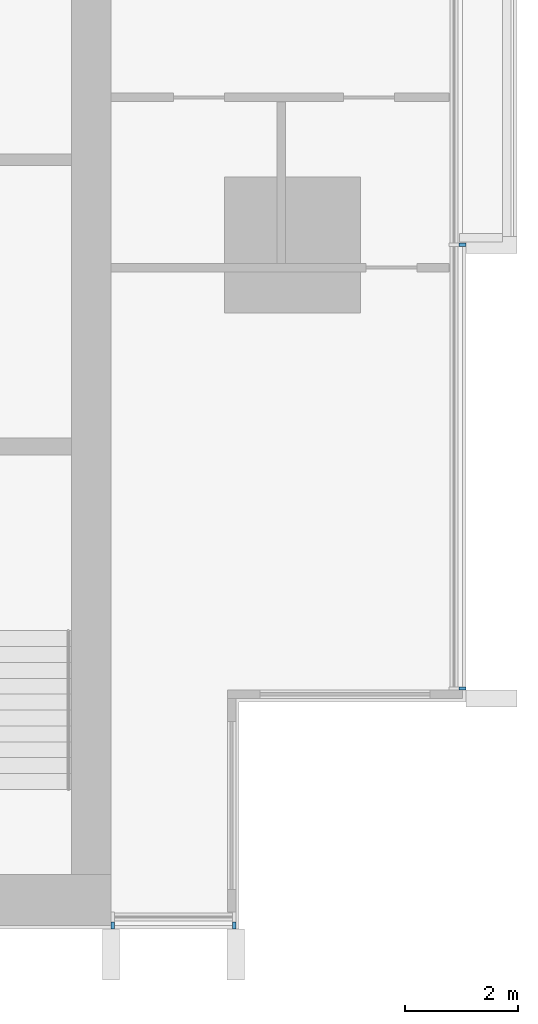
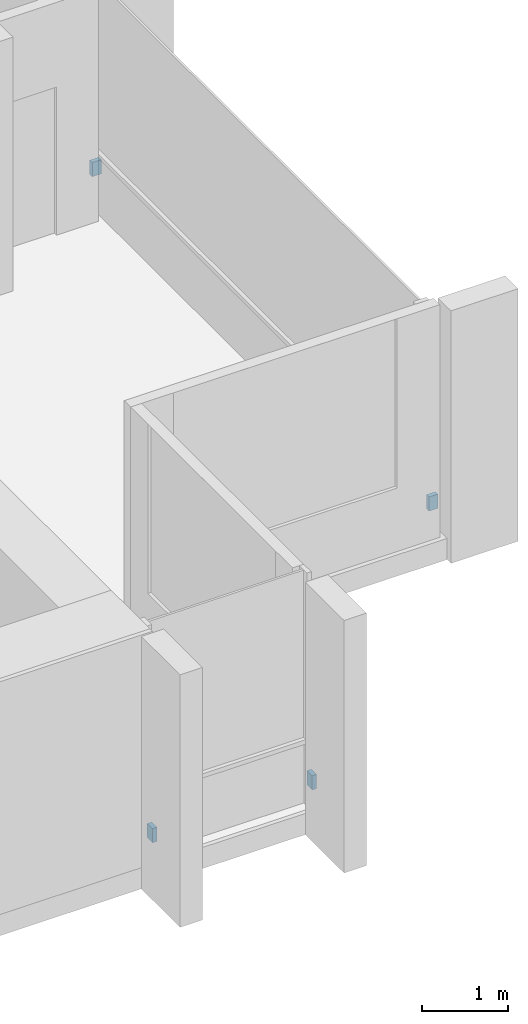
# One storey, part 14 of 17: 4 discrete accessories.
"""IFC4 building model written with IfcOpenShell, lengths in metres."""

from ifc_helpers import new_model, si_unit, direction, frame, origin, origin_2d, place, context, subcontext, project, spatial, rectangle, extrude, material, type_object, element, save


model = new_model("IFC4")

# Units and contexts
model_context = context("Model", 3, precision=1e-05, world=origin(), true_north=direction((0.0, 1.0)))
body_context = subcontext(model_context, "Body", "Model", "MODEL_VIEW")
ifc_project = project(units=[si_unit("LENGTHUNIT", "METRE"), si_unit("AREAUNIT", "SQUARE_METRE"), si_unit("VOLUMEUNIT", "CUBIC_METRE"), si_unit("PLANEANGLEUNIT", "RADIAN"), si_unit("MASSUNIT", "GRAM", prefix="KILO")], contexts=[model_context])

# Site, building, storey
site_placement = place(None, origin())
site = spatial("IfcSite", under=ifc_project, at=site_placement, CompositionType="ELEMENT")
building_placement = place(site_placement, origin())
building = spatial("IfcBuilding", under=site, at=building_placement, Name="Finial Court Residences", CompositionType="ELEMENT")
storey_placement = place(building_placement, frame((0.0, 0.0, 170.89990234375)))
storey = spatial("IfcBuildingStorey", under=building, at=storey_placement, Name="L42", CompositionType="ELEMENT", Elevation=170.89990234375)

# Discrete accessories
ifc_material = material(Name="Stainless steel 316", Category="steel")
discrete_accessory_type = type_object("IfcDiscreteAccessoryType", Name="Fin bracket, stainless steel 60 x 122 x 200", PredefinedType="BRACKET", material=ifc_material)
for number, where, z_axis, x_axis, name in (
    (1, (19.498779296875, -21.320068359375, 0.30029296875), (0.0, 0.0, 1.0), (1.0, 0.0, 0.0), "E-L42-FIN-E7-BRK"),
    (2, (19.498779296875, -13.5, 0.30029296875), (0.0, 0.0, 1.0), (1.0, 0.0, 0.0), "E-L42-FIN-E8-BRK"),
):
    element("IfcDiscreteAccessory", number, at=place(storey_placement, frame(where, z_axis=z_axis, x_axis=x_axis)), inside=storey, type_object=discrete_accessory_type, Name=name, PredefinedType="BRACKET", context=body_context, shape_type="SweptSolid", body=[
        extrude(rectangle(XDim=0.12255859375, YDim=0.06005859375, at=origin_2d()), origin(), (0.0, 0.0, 1.0), 0.199951171875),
    ])
for number, where, z_axis, x_axis, name in (
    (3, (13.330078125, -25.498779296875, 0.30029296875), (0.0, 0.0, 1.0), (1.0, 0.0, 0.0), "E-L42-FIN-S20-BRK"),
    (4, (15.469970703125, -25.498779296875, 0.30029296875), (0.0, 0.0, 1.0), (1.0, 0.0, 0.0), "E-L42-FIN-S21-BRK"),
):
    element("IfcDiscreteAccessory", number, at=place(storey_placement, frame(where, z_axis=z_axis, x_axis=x_axis)), inside=storey, type_object=discrete_accessory_type, Name=name, PredefinedType="BRACKET", context=body_context, shape_type="SweptSolid", body=[
        extrude(rectangle(XDim=0.06005859375, YDim=0.12255859375, at=origin_2d()), origin(), (0.0, 0.0, 1.0), 0.199951171875),
    ])

save(model, "model.ifc")
